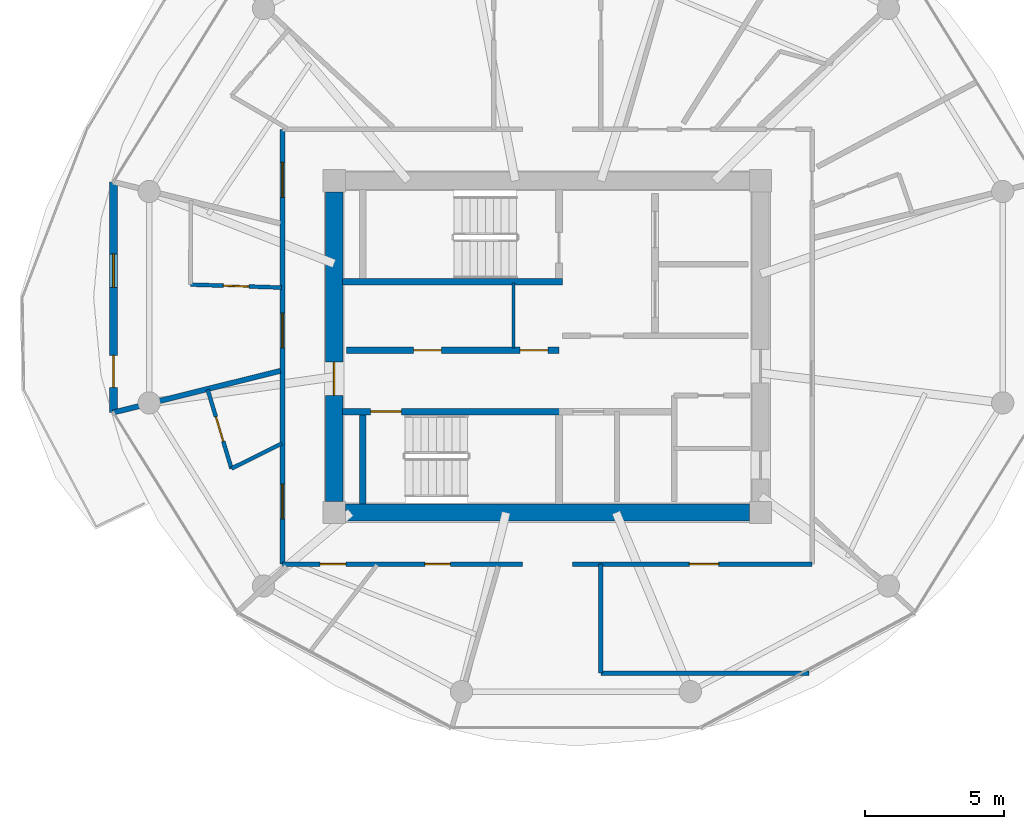
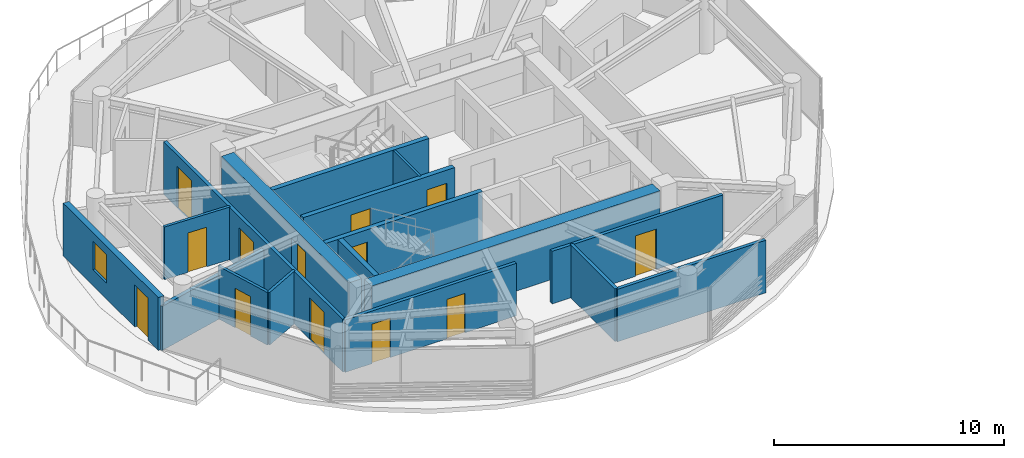
# One storey, part 12 of 22: 17 walls, 13 doors, 1 window, 14 openings.
"""IFC4 building model written with IfcOpenShell, lengths in metres."""

from ifc_helpers import new_model, si_unit, direction, frame, frame_2d, origin, place, context, subcontext, project, spatial, rectangle, extrude, source, transform, mapped, material, layer, layer_set, type_object, type_shapes, element, fill, save


model = new_model("IFC4")

# Units and contexts
model_context = context("Model", 3, precision=1e-05, world=origin(), true_north=direction((0.0, 1.0)))
body_context = subcontext(model_context, "Body", "Model", "MODEL_VIEW")
ifc_project = project(units=[si_unit("LENGTHUNIT", "METRE"), si_unit("AREAUNIT", "SQUARE_METRE"), si_unit("VOLUMEUNIT", "CUBIC_METRE"), si_unit("PLANEANGLEUNIT", "RADIAN"), si_unit("MASSUNIT", "GRAM", prefix="KILO")], contexts=[model_context])

# Site, building, storey
site_placement = place(None, origin())
site = spatial("IfcSite", under=ifc_project, at=site_placement, CompositionType="ELEMENT")
building_placement = place(site_placement, origin())
building = spatial("IfcBuilding", under=site, at=building_placement, Name="Norrkilde Senior Care Towers", CompositionType="ELEMENT")
storey_placement = place(building_placement, frame((0.0, 0.0, 152.60009765625)))
storey = spatial("IfcBuildingStorey", under=building, at=storey_placement, Name="L47", CompositionType="ELEMENT", Elevation=152.60009765625)

# Wall
ifc_material_1 = material(Name="Concrete C50/60", Category="concrete")
ifc_layer_1 = layer(ifc_material_1, 0.6201171875)
ifc_layer_set_1 = layer_set([ifc_layer_1], Name="Concrete C50/60")
wall_type_1 = type_object("IfcWallType", Name="Core Shear Wall Z3 620", PredefinedType="SHEAR", material=ifc_layer_set_1)
shared_shape_1 = source(origin(), body_context, "Body", "SweptSolid", [
    extrude(rectangle(XDim=14.5, YDim=0.6201171875, at=frame_2d((7.25, 0.0))), origin(), (0.0, 0.0, 1.0), 2.809814453125),
])
wall_1_placement = place(storey_placement, frame((-20.75, -5.949951171875, 0.0), z_axis=(0.0, 0.0, 1.0), x_axis=(-1.0, 0.0, 0.0)))
element("IfcWall", 1, at=wall_1_placement, inside=storey, type_object=wall_type_1, Name="L47 Core W South Shear Wall", PredefinedType="SHEAR", context=body_context, shape_type="MappedRepresentation", body=[
    mapped(shared_shape_1, transform((0.0, 0.0, 0.0), x_axis=(1.0, 0.0, 0.0), y_axis=(0.0, 1.0, 0.0), z_axis=(0.0, 0.0, 1.0), scale=1.0)),
])

# Wall, opening, door
shared_shape_2 = source(origin(), body_context, "Body", "SweptSolid", [
    extrude(rectangle(XDim=11.10009765625, YDim=0.6201171875, at=frame_2d((5.550048828125, 0.0))), origin(), (0.0, 0.0, 1.0), 2.809814453125),
])
type_shapes(wall_type_1, [shared_shape_1, shared_shape_2])
wall_2_placement = place(storey_placement, frame((-35.64990234375, -5.550048828125, 0.0), z_axis=(0.0, 0.0, 1.0), x_axis=(0.0, 1.0, 0.0)))
wall_2 = element("IfcWall", 2, at=wall_2_placement, inside=storey, type_object=wall_type_1, Name="L47 Core W West Shear Wall", PredefinedType="SHEAR", context=body_context, shape_type="MappedRepresentation", body=[
    mapped(shared_shape_2, transform((0.0, 0.0, 0.0), x_axis=(1.0, 0.0, 0.0), y_axis=(0.0, 1.0, 0.0), z_axis=(0.0, 0.0, 1.0), scale=1.0)),
])
opening_1_placement = place(wall_2_placement, frame((3.800048828125, 0.0, 0.0)))
opening_1 = element("IfcOpeningElement", 3, at=opening_1_placement, cuts=wall_2, Name="Opening D-04", PredefinedType="OPENING", context=body_context, shape_type="SweptSolid", body=[
    extrude(rectangle(XDim=1.199951171875, YDim=2.14990234375, at=frame_2d((0.60009765625, 1.074951171875))), frame((0.0, 0.320068359375, 0.0), z_axis=(0.0, -1.0, 0.0), x_axis=(1.0, 0.0, 0.0)), (0.0, 0.0, 1.0), 0.64013671875),
])
ifc_material_2 = material(Name="Galvanised Painted Steel", Category="steel")
door_type_1 = type_object("IfcDoorType", Name="Firefighting Lobby Fire Door 1200x2150", OperationType="NOTDEFINED", PredefinedType="DOOR", material=ifc_material_2)
shared_shape_3 = source(origin(), body_context, "Body", "SweptSolid", [
    extrude(rectangle(XDim=1.199951171875, YDim=2.14990234375, at=frame_2d((0.60009765625, 1.074951171875))), frame((0.0, 0.02490234375, 0.0), z_axis=(0.0, -1.0, 0.0), x_axis=(1.0, 0.0, 0.0)), (0.0, 0.0, 1.0), 0.050048828125),
])
type_shapes(door_type_1, [shared_shape_3])
door_1_placement = place(opening_1_placement, frame((1.199951171875, 0.0, 0.0), z_axis=(0.0, 0.0, 1.0), x_axis=(-1.0, 0.0, 0.0)))
door_1 = element("IfcDoor", 4, at=door_1_placement, inside=storey, type_object=door_type_1, Name="L47 Core W West Portal Door", OperationType="SINGLE_SWING_LEFT", OverallHeight=2.14990234375, OverallWidth=1.199951171875, PredefinedType="DOOR", context=body_context, shape_type="MappedRepresentation", body=[
    mapped(shared_shape_3, transform((0.0, 0.0, 0.0), x_axis=(1.0, 0.0, 0.0), y_axis=(0.0, 1.0, 0.0), z_axis=(0.0, 0.0, 1.0), scale=1.0)),
])
fill(opening_1, door_1)

# Wall, openings, door, window
ifc_material_3 = material(Name="Precast concrete C45/55", Category="concrete")
ifc_layer_2 = layer(ifc_material_3, 0.2900390625)
ifc_layer_set_2 = layer_set([ifc_layer_2], Name="Precast concrete C45/55")
wall_type_2 = type_object("IfcWallType", Name="Winter Garden Facade Wall 290", PredefinedType="SOLIDWALL", material=ifc_layer_set_2)
shared_shape_4 = source(origin(), body_context, "Body", "SweptSolid", [
    extrude(rectangle(XDim=8.27197265625, YDim=0.2900390625, at=frame_2d((4.135986328125, 0.0))), origin(), (0.0, 0.0, 1.0), 2.809814453125),
])
type_shapes(wall_type_2, [shared_shape_4])
wall_3_placement = place(storey_placement, frame((-43.569580078125, -2.360595703125, 0.0), z_axis=(0.0, 0.0, 1.0), x_axis=(0.0, 1.0, 0.0)))
wall_3 = element("IfcWall", 5, at=wall_3_placement, inside=storey, type_object=wall_type_2, Name="L47 Drum W Balcony Access Wall 05", PredefinedType="SOLIDWALL", context=body_context, shape_type="MappedRepresentation", body=[
    mapped(shared_shape_4, transform((0.0, 0.0, 0.0), x_axis=(1.0, 0.0, 0.0), y_axis=(0.0, 1.0, 0.0), z_axis=(0.0, 0.0, 1.0), scale=1.0)),
])
opening_2_placement = place(wall_3_placement, frame((0.89990234375, 0.0, 0.0)))
opening_2 = element("IfcOpeningElement", 6, at=opening_2_placement, cuts=wall_3, Name="Opening D-09", PredefinedType="OPENING", context=body_context, shape_type="SweptSolid", body=[
    extrude(rectangle(XDim=1.14990234375, YDim=2.25, at=frame_2d((0.574951171875, 1.125))), frame((0.0, 0.155029296875, 0.0), z_axis=(0.0, -1.0, 0.0), x_axis=(1.0, 0.0, 0.0)), (0.0, 0.0, 1.0), 0.31005859375),
])
opening_3_placement = place(wall_3_placement, frame((4.48583984375, 0.0, 0.85009765625)))
opening_3 = element("IfcOpeningElement", 7, at=opening_3_placement, cuts=wall_3, Name="Opening WN-07", PredefinedType="OPENING", context=body_context, shape_type="SweptSolid", body=[
    extrude(rectangle(XDim=1.199951171875, YDim=1.5, at=frame_2d((0.60009765625, 0.75))), frame((0.0, 0.155029296875, 0.0), z_axis=(0.0, -1.0, 0.0), x_axis=(1.0, 0.0, 0.0)), (0.0, 0.0, 1.0), 0.31005859375),
])
ifc_material_4 = material(Name="Anodised Aluminium", Category="aluminium")
door_type_2 = type_object("IfcDoorType", Name="Terrace and Balcony Glazed Door 1150x2250", OperationType="NOTDEFINED", PredefinedType="DOOR", material=ifc_material_4)
shared_shape_5 = source(origin(), body_context, "Body", "SweptSolid", [
    extrude(rectangle(XDim=1.14990234375, YDim=2.25, at=frame_2d((0.574951171875, 1.125))), frame((0.0, 0.02490234375, 0.0), z_axis=(0.0, -1.0, 0.0), x_axis=(1.0, 0.0, 0.0)), (0.0, 0.0, 1.0), 0.050048828125),
])
type_shapes(door_type_2, [shared_shape_5])
door_2_placement = place(opening_2_placement, origin())
door_2 = element("IfcDoor", 8, at=door_2_placement, inside=storey, type_object=door_type_2, Name="L47 Drum W Outdoor Terrace Door 05", OperationType="SINGLE_SWING_RIGHT", OverallHeight=2.25, OverallWidth=1.14990234375, PredefinedType="DOOR", context=body_context, shape_type="MappedRepresentation", body=[
    mapped(shared_shape_5, transform((0.0, 0.0, 0.0), x_axis=(1.0, 0.0, 0.0), y_axis=(0.0, 1.0, 0.0), z_axis=(0.0, 0.0, 1.0), scale=1.0)),
])
fill(opening_2, door_2)
ifc_material_5 = material(Name="Triple Low-E Insulated Glazing", Category="glass")
window_type = type_object("IfcWindowType", Name="Stairwell Smoke Vent Window 1200x1500", PartitioningType="SINGLE_PANEL", PredefinedType="WINDOW", material=ifc_material_5)
shared_shape_6 = source(origin(), body_context, "Body", "SweptSolid", [
    extrude(rectangle(XDim=1.199951171875, YDim=1.5, at=frame_2d((0.60009765625, 0.75))), frame((0.0, 0.030029296875, 0.0), z_axis=(0.0, -1.0, 0.0), x_axis=(1.0, 0.0, 0.0)), (0.0, 0.0, 1.0), 0.06005859375),
])
type_shapes(window_type, [shared_shape_6])
window_placement = place(opening_3_placement, origin())
window = element("IfcWindow", 9, at=window_placement, inside=storey, type_object=window_type, Name="L47 Drum W Winter Garden Window 05", OverallHeight=1.5, OverallWidth=1.199951171875, PartitioningType="SINGLE_PANEL", PredefinedType="WINDOW", context=body_context, shape_type="MappedRepresentation", body=[
    mapped(shared_shape_6, transform((0.0, 0.0, 0.0), x_axis=(1.0, 0.0, 0.0), y_axis=(0.0, 1.0, 0.0), z_axis=(0.0, 0.0, 1.0), scale=1.0)),
])
fill(opening_3, window)

# Wall, openings, doors
ifc_material_6 = material(Name="Concrete C45/55", Category="concrete")
ifc_layer_3 = layer(ifc_material_6, 0.239990234375)
ifc_layer_set_3 = layer_set([ifc_layer_3], Name="Concrete C45/55")
wall_type_3 = type_object("IfcWallType", Name="Lift and Plant Rated Enclosure Partition 240", PredefinedType="PARTITIONING", material=ifc_layer_set_3)
shared_shape_7 = source(origin(), body_context, "Body", "SweptSolid", [
    extrude(rectangle(XDim=7.619873046875, YDim=0.239990234375, at=frame_2d((3.81005859375, 0.0))), origin(), (0.0, 0.0, 1.0), 2.794921875),
])
type_shapes(wall_type_3, [shared_shape_7])
wall_4_placement = place(storey_placement, frame((-35.199951171875, -0.1298828125, 0.0), z_axis=(0.0, 0.0, 1.0), x_axis=(1.0, 0.0, 0.0)))
wall_4 = element("IfcWall", 10, at=wall_4_placement, inside=storey, type_object=wall_type_3, Name="WL-INT-L47-W-PKAS", PredefinedType="PARTITIONING", context=body_context, shape_type="MappedRepresentation", body=[
    mapped(shared_shape_7, transform((0.0, 0.0, 0.0), x_axis=(1.0, 0.0, 0.0), y_axis=(0.0, 1.0, 0.0), z_axis=(0.0, 0.0, 1.0), scale=1.0)),
])
opening_4_placement = place(wall_4_placement, frame((6.219970703125, 0.0, 0.0)))
opening_4 = element("IfcOpeningElement", 11, at=opening_4_placement, cuts=wall_4, Name="Opening D-10", PredefinedType="OPENING", context=body_context, shape_type="SweptSolid", body=[
    extrude(rectangle(XDim=1.0, YDim=2.10009765625, at=frame_2d((0.5, 1.050048828125))), frame((0.0, 0.1298828125, 0.0), z_axis=(0.0, -1.0, 0.0), x_axis=(1.0, 0.0, 0.0)), (0.0, 0.0, 1.0), 0.260009765625),
])
opening_5_placement = place(wall_4_placement, frame((2.39990234375, 0.0, 0.0)))
opening_5 = element("IfcOpeningElement", 12, at=opening_5_placement, cuts=wall_4, Name="Opening D-10", PredefinedType="OPENING", context=body_context, shape_type="SweptSolid", body=[
    extrude(rectangle(XDim=1.0, YDim=2.10009765625, at=frame_2d((0.5, 1.050048828125))), frame((0.0, 0.1298828125, 0.0), z_axis=(0.0, -1.0, 0.0), x_axis=(1.0, 0.0, 0.0)), (0.0, 0.0, 1.0), 0.260009765625),
])
door_type_3 = type_object("IfcDoorType", Name="Plant and Riser Rated Door 1000x2100", OperationType="NOTDEFINED", PredefinedType="DOOR", material=ifc_material_2)
shared_shape_8 = source(origin(), body_context, "Body", "SweptSolid", [
    extrude(rectangle(XDim=1.0, YDim=2.10009765625, at=frame_2d((0.5, 1.050048828125))), frame((0.0, 0.02490234375, 0.0), z_axis=(0.0, -1.0, 0.0), x_axis=(1.0, 0.0, 0.0)), (0.0, 0.0, 1.0), 0.050048828125),
])
type_shapes(door_type_3, [shared_shape_8])
door_3_placement = place(opening_4_placement, frame((1.0, 0.0, 0.0), z_axis=(0.0, 0.0, 1.0), x_axis=(-1.0, 0.0, 0.0)))
door_3 = element("IfcDoor", 13, at=door_3_placement, inside=storey, type_object=door_type_3, Name="L47 Electrical Riser W Door", OperationType="SINGLE_SWING_LEFT", OverallHeight=2.10009765625, OverallWidth=1.0, PredefinedType="DOOR", context=body_context, shape_type="MappedRepresentation", body=[
    mapped(shared_shape_8, transform((0.0, 0.0, 0.0), x_axis=(1.0, 0.0, 0.0), y_axis=(0.0, 1.0, 0.0), z_axis=(0.0, 0.0, 1.0), scale=1.0)),
])
fill(opening_4, door_3)
door_4_placement = place(opening_5_placement, frame((1.0, 0.0, 0.0), z_axis=(0.0, 0.0, 1.0), x_axis=(-1.0, 0.0, 0.0)))
door_4 = element("IfcDoor", 14, at=door_4_placement, inside=storey, type_object=door_type_3, Name="L47 Clean Supply Store W Door", OperationType="SINGLE_SWING_LEFT", OverallHeight=2.10009765625, OverallWidth=1.0, PredefinedType="DOOR", context=body_context, shape_type="MappedRepresentation", body=[
    mapped(shared_shape_8, transform((0.0, 0.0, 0.0), x_axis=(1.0, 0.0, 0.0), y_axis=(0.0, 1.0, 0.0), z_axis=(0.0, 0.0, 1.0), scale=1.0)),
])
fill(opening_5, door_4)

# Wall
ifc_material_7 = material(Name="Gypsum Acoustic Board")
ifc_layer_4 = layer(ifc_material_7, 0.114990234375)
ifc_layer_set_4 = layer_set([ifc_layer_4], Name="Gypsum Acoustic Board")
wall_type_4 = type_object("IfcWallType", Name="Internal Room Partition 115", PredefinedType="PARTITIONING", material=ifc_layer_set_4)
shared_shape_9 = source(origin(), body_context, "Body", "SweptSolid", [
    extrude(rectangle(XDim=2.330078125, YDim=0.114990234375, at=frame_2d((1.1650390625, 0.0))), origin(), (0.0, 0.0, 1.0), 2.794921875),
])
type_shapes(wall_type_4, [shared_shape_9])
wall_5_placement = place(storey_placement, frame((-29.2099609375, -0.050048828125, 0.0), z_axis=(0.0, 0.0, 1.0), x_axis=(0.0, 1.0, 0.0)))
element("IfcWall", 15, at=wall_5_placement, inside=storey, type_object=wall_type_4, Name="WL-INT-L47-W-RISW", PredefinedType="PARTITIONING", context=body_context, shape_type="MappedRepresentation", body=[
    mapped(shared_shape_9, transform((0.0, 0.0, 0.0), x_axis=(1.0, 0.0, 0.0), y_axis=(0.0, 1.0, 0.0), z_axis=(0.0, 0.0, 1.0), scale=1.0)),
])

# Wall, opening, door
ifc_layer_5 = layer(ifc_material_7, 0.1650390625)
ifc_layer_set_5 = layer_set([ifc_layer_5], Name="Gypsum Acoustic Board")
wall_type_5 = type_object("IfcWallType", Name="Corridor Rated Partition 165", PredefinedType="PARTITIONING", material=ifc_layer_set_5)
shared_shape_10 = source(origin(), body_context, "Body", "SweptSolid", [
    extrude(rectangle(XDim=8.60009765625, YDim=0.1650390625, at=frame_2d((4.300048828125, 0.0))), origin(), (0.0, 0.0, 1.0), 2.794921875),
])
wall_6_placement = place(storey_placement, frame((-18.5, -7.800048828125, 0.0), z_axis=(0.0, 0.0, 1.0), x_axis=(-1.0, 0.0, 0.0)))
wall_6 = element("IfcWall", 16, at=wall_6_placement, inside=storey, type_object=wall_type_5, Name="WL-INT-L47-W-CRW-S-0", PredefinedType="PARTITIONING", context=body_context, shape_type="MappedRepresentation", body=[
    mapped(shared_shape_10, transform((0.0, 0.0, 0.0), x_axis=(1.0, 0.0, 0.0), y_axis=(0.0, 1.0, 0.0), z_axis=(0.0, 0.0, 1.0), scale=1.0)),
])
opening_6_placement = place(wall_6_placement, frame((3.359130859375, 0.0, 0.0)))
opening_6 = element("IfcOpeningElement", 17, at=opening_6_placement, cuts=wall_6, Name="Opening D-06", PredefinedType="OPENING", context=body_context, shape_type="SweptSolid", body=[
    extrude(rectangle(XDim=1.050048828125, YDim=2.14990234375, at=frame_2d((0.52490234375, 1.074951171875))), frame((0.0, 0.092529296875, 0.0), z_axis=(0.0, -1.0, 0.0), x_axis=(1.0, 0.0, 0.0)), (0.0, 0.0, 1.0), 0.18505859375),
])
ifc_material_8 = material(Name="Nordic Ash Timber", Category="wood")
door_type_4 = type_object("IfcDoorType", Name="Apartment Entrance Fire Door 1050x2150", OperationType="NOTDEFINED", PredefinedType="DOOR", material=ifc_material_8)
shared_shape_11 = source(origin(), body_context, "Body", "SweptSolid", [
    extrude(rectangle(XDim=1.050048828125, YDim=2.14990234375, at=frame_2d((0.52490234375, 1.074951171875))), frame((0.0, 0.02490234375, 0.0), z_axis=(0.0, -1.0, 0.0), x_axis=(1.0, 0.0, 0.0)), (0.0, 0.0, 1.0), 0.050048828125),
])
type_shapes(door_type_4, [shared_shape_11])
door_5_placement = place(opening_6_placement, frame((1.050048828125, 0.0, 0.0), z_axis=(0.0, 0.0, 1.0), x_axis=(-1.0, 0.0, 0.0)))
door_5 = element("IfcDoor", 18, at=door_5_placement, inside=storey, type_object=door_type_4, Name="L47 Reading Lounge SEL Door", OperationType="SINGLE_SWING_RIGHT", OverallHeight=2.14990234375, OverallWidth=1.050048828125, PredefinedType="DOOR", context=body_context, shape_type="MappedRepresentation", body=[
    mapped(shared_shape_11, transform((0.0, 0.0, 0.0), x_axis=(1.0, 0.0, 0.0), y_axis=(0.0, 1.0, 0.0), z_axis=(0.0, 0.0, 1.0), scale=1.0)),
])
fill(opening_6, door_5)

# Wall, openings, doors
wall_7_placement = place(storey_placement, frame((-28.89990234375, -7.800048828125, 0.0), z_axis=(0.0, 0.0, 1.0), x_axis=(-1.0, 0.0, 0.0)))
wall_7 = element("IfcWall", 19, at=wall_7_placement, inside=storey, type_object=wall_type_5, Name="WL-INT-L47-W-CRW-S-1", PredefinedType="PARTITIONING", context=body_context, shape_type="MappedRepresentation", body=[
    mapped(shared_shape_10, transform((0.0, 0.0, 0.0), x_axis=(1.0, 0.0, 0.0), y_axis=(0.0, 1.0, 0.0), z_axis=(0.0, 0.0, 1.0), scale=1.0)),
])
opening_7_placement = place(wall_7_placement, frame((6.330322265625, 0.0, 0.0)))
opening_7 = element("IfcOpeningElement", 20, at=opening_7_placement, cuts=wall_7, Name="Opening D-08", PredefinedType="OPENING", context=body_context, shape_type="SweptSolid", body=[
    extrude(rectangle(XDim=0.919921875, YDim=2.10009765625, at=frame_2d((0.4599609375, 1.050048828125))), frame((0.0, 0.092529296875, 0.0), z_axis=(0.0, -1.0, 0.0), x_axis=(1.0, 0.0, 0.0)), (0.0, 0.0, 1.0), 0.18505859375),
])
opening_8_placement = place(wall_7_placement, frame((2.57470703125, 0.0, 0.0)))
opening_8 = element("IfcOpeningElement", 21, at=opening_8_placement, cuts=wall_7, Name="Opening D-08", PredefinedType="OPENING", context=body_context, shape_type="SweptSolid", body=[
    extrude(rectangle(XDim=0.919921875, YDim=2.10009765625, at=frame_2d((0.4599609375, 1.050048828125))), frame((0.0, 0.092529296875, 0.0), z_axis=(0.0, -1.0, 0.0), x_axis=(1.0, 0.0, 0.0)), (0.0, 0.0, 1.0), 0.18505859375),
])
door_type_5 = type_object("IfcDoorType", Name="Accessible Wet Room Door 920x2100", OperationType="NOTDEFINED", PredefinedType="DOOR", material=ifc_material_8)
shared_shape_12 = source(origin(), body_context, "Body", "SweptSolid", [
    extrude(rectangle(XDim=0.919921875, YDim=2.10009765625, at=frame_2d((0.4599609375, 1.050048828125))), frame((0.0, 0.02490234375, 0.0), z_axis=(0.0, -1.0, 0.0), x_axis=(1.0, 0.0, 0.0)), (0.0, 0.0, 1.0), 0.050048828125),
])
type_shapes(door_type_5, [shared_shape_12])
door_6_placement = place(opening_7_placement, frame((0.919921875, 0.0, 0.0), z_axis=(0.0, 0.0, 1.0), x_axis=(-1.0, 0.0, 0.0)))
door_6 = element("IfcDoor", 22, at=door_6_placement, inside=storey, type_object=door_type_5, Name="L47 Accessible Restroom Door", OperationType="SINGLE_SWING_RIGHT", OverallHeight=2.10009765625, OverallWidth=0.919921875, PredefinedType="DOOR", context=body_context, shape_type="MappedRepresentation", body=[
    mapped(shared_shape_12, transform((0.0, 0.0, 0.0), x_axis=(1.0, 0.0, 0.0), y_axis=(0.0, 1.0, 0.0), z_axis=(0.0, 0.0, 1.0), scale=1.0)),
])
fill(opening_7, door_6)
door_7_placement = place(opening_8_placement, frame((0.919921875, 0.0, 0.0), z_axis=(0.0, 0.0, 1.0), x_axis=(-1.0, 0.0, 0.0)))
door_7 = element("IfcDoor", 23, at=door_7_placement, inside=storey, type_object=door_type_5, Name="L47 Public Restroom Door", OperationType="SINGLE_SWING_LEFT", OverallHeight=2.10009765625, OverallWidth=0.919921875, PredefinedType="DOOR", context=body_context, shape_type="MappedRepresentation", body=[
    mapped(shared_shape_12, transform((0.0, 0.0, 0.0), x_axis=(1.0, 0.0, 0.0), y_axis=(0.0, 1.0, 0.0), z_axis=(0.0, 0.0, 1.0), scale=1.0)),
])
fill(opening_8, door_7)

shared_shape_13 = source(origin(), body_context, "Body", "SweptSolid", [
    extrude(rectangle(XDim=15.60009765625, YDim=0.1650390625, at=frame_2d((7.800048828125, 0.0))), origin(), (0.0, 0.0, 1.0), 2.794921875),
])
wall_8_placement = place(storey_placement, frame((-37.5, -7.800048828125, 0.0), z_axis=(0.0, 0.0, 1.0), x_axis=(0.0, 1.0, 0.0)))
wall_8 = element("IfcWall", 24, at=wall_8_placement, inside=storey, type_object=wall_type_5, Name="WL-INT-L47-W-CRW-W-0", PredefinedType="PARTITIONING", context=body_context, shape_type="MappedRepresentation", body=[
    mapped(shared_shape_13, transform((0.0, 0.0, 0.0), x_axis=(1.0, 0.0, 0.0), y_axis=(0.0, 1.0, 0.0), z_axis=(0.0, 0.0, 1.0), scale=1.0)),
])
opening_9_placement = place(wall_8_placement, frame((13.160400390625, 0.0, 0.0)))
opening_9 = element("IfcOpeningElement", 25, at=opening_9_placement, cuts=wall_8, Name="Opening D-05", PredefinedType="OPENING", context=body_context, shape_type="SweptSolid", body=[
    extrude(rectangle(XDim=1.25, YDim=2.199951171875, at=frame_2d((0.625, 1.10009765625))), frame((0.0, 0.092529296875, 0.0), z_axis=(0.0, -1.0, 0.0), x_axis=(1.0, 0.0, 0.0)), (0.0, 0.0, 1.0), 0.18505859375),
])
opening_10_placement = place(wall_8_placement, frame((7.757080078125, 0.0, 0.0)))
opening_10 = element("IfcOpeningElement", 26, at=opening_10_placement, cuts=wall_8, Name="Opening D-05", PredefinedType="OPENING", context=body_context, shape_type="SweptSolid", body=[
    extrude(rectangle(XDim=1.25, YDim=2.199951171875, at=frame_2d((0.625, 1.10009765625))), frame((0.0, 0.092529296875, 0.0), z_axis=(0.0, -1.0, 0.0), x_axis=(1.0, 0.0, 0.0)), (0.0, 0.0, 1.0), 0.18505859375),
])
opening_11_placement = place(wall_8_placement, frame((1.61962890625, 0.0, 0.0)))
opening_11 = element("IfcOpeningElement", 27, at=opening_11_placement, cuts=wall_8, Name="Opening D-05", PredefinedType="OPENING", context=body_context, shape_type="SweptSolid", body=[
    extrude(rectangle(XDim=1.25, YDim=2.199951171875, at=frame_2d((0.625, 1.10009765625))), frame((0.0, 0.092529296875, 0.0), z_axis=(0.0, -1.0, 0.0), x_axis=(1.0, 0.0, 0.0)), (0.0, 0.0, 1.0), 0.18505859375),
])
door_type_6 = type_object("IfcDoorType", Name="Care Bedroom Bariatric Door 1250x2200", OperationType="NOTDEFINED", PredefinedType="DOOR", material=ifc_material_8)
shared_shape_14 = source(origin(), body_context, "Body", "SweptSolid", [
    extrude(rectangle(XDim=1.25, YDim=2.199951171875, at=frame_2d((0.625, 1.10009765625))), frame((0.0, 0.02490234375, 0.0), z_axis=(0.0, -1.0, 0.0), x_axis=(1.0, 0.0, 0.0)), (0.0, 0.0, 1.0), 0.050048828125),
])
type_shapes(door_type_6, [shared_shape_14])
door_8_placement = place(opening_9_placement, frame((1.25, 0.0, 0.0), z_axis=(0.0, 0.0, 1.0), x_axis=(-1.0, 0.0, 0.0)))
door_8 = element("IfcDoor", 28, at=door_8_placement, inside=storey, type_object=door_type_6, Name="L47 Care Suite 4704 Entrance Door", OperationType="SINGLE_SWING_LEFT", OverallHeight=2.199951171875, OverallWidth=1.25, PredefinedType="DOOR", context=body_context, shape_type="MappedRepresentation", body=[
    mapped(shared_shape_14, transform((0.0, 0.0, 0.0), x_axis=(1.0, 0.0, 0.0), y_axis=(0.0, 1.0, 0.0), z_axis=(0.0, 0.0, 1.0), scale=1.0)),
])
fill(opening_9, door_8)
door_9_placement = place(opening_10_placement, frame((1.25, 0.0, 0.0), z_axis=(0.0, 0.0, 1.0), x_axis=(-1.0, 0.0, 0.0)))
door_9 = element("IfcDoor", 29, at=door_9_placement, inside=storey, type_object=door_type_6, Name="L47 Care Suite 4705 Entrance Door", OperationType="SINGLE_SWING_RIGHT", OverallHeight=2.199951171875, OverallWidth=1.25, PredefinedType="DOOR", context=body_context, shape_type="MappedRepresentation", body=[
    mapped(shared_shape_14, transform((0.0, 0.0, 0.0), x_axis=(1.0, 0.0, 0.0), y_axis=(0.0, 1.0, 0.0), z_axis=(0.0, 0.0, 1.0), scale=1.0)),
])
fill(opening_10, door_9)
door_10_placement = place(opening_11_placement, frame((1.25, 0.0, 0.0), z_axis=(0.0, 0.0, 1.0), x_axis=(-1.0, 0.0, 0.0)))
door_10 = element("IfcDoor", 30, at=door_10_placement, inside=storey, type_object=door_type_6, Name="L47 Care Suite 4706 Entrance Door", OperationType="SINGLE_SWING_LEFT", OverallHeight=2.199951171875, OverallWidth=1.25, PredefinedType="DOOR", context=body_context, shape_type="MappedRepresentation", body=[
    mapped(shared_shape_14, transform((0.0, 0.0, 0.0), x_axis=(1.0, 0.0, 0.0), y_axis=(0.0, 1.0, 0.0), z_axis=(0.0, 0.0, 1.0), scale=1.0)),
])
fill(opening_11, door_10)

# Walls
ifc_layer_6 = layer(ifc_material_7, 0.18994140625)
ifc_layer_set_6 = layer_set([ifc_layer_6], Name="Gypsum Acoustic Board")
wall_type_6 = type_object("IfcWallType", Name="Unit Demising Acoustic Wall 190", PredefinedType="PARTITIONING", material=ifc_layer_set_6)
shared_shape_15 = source(origin(), body_context, "Body", "SweptSolid", [
    extrude(rectangle(XDim=6.192626953125, YDim=0.18994140625, at=frame_2d((3.09619140625, 0.0))), origin(), (0.0, 0.0, 1.0), 2.344970703125),
])
type_shapes(wall_type_6, [shared_shape_15])
wall_9_placement = place(storey_placement, frame((-37.580078125, -0.867919921875, 0.0), z_axis=(0.0, 0.0, 1.0), x_axis=(-0.970309243466, -0.241867674657, 0.0)))
element("IfcWall", 31, at=wall_9_placement, inside=storey, type_object=wall_type_6, Name="WL-INT-L47-W-DEM-06-0", PredefinedType="PARTITIONING", context=body_context, shape_type="MappedRepresentation", body=[
    mapped(shared_shape_15, transform((0.0, 0.0, 0.0), x_axis=(1.0, 0.0, 0.0), y_axis=(0.0, 1.0, 0.0), z_axis=(0.0, 0.0, 1.0), scale=1.0)),
])
ifc_layer_7 = layer(ifc_material_6, 0.239990234375)
ifc_layer_set_7 = layer_set([ifc_layer_7], Name="Concrete C45/55")
wall_type_7 = type_object("IfcWallType", Name="Shaft and Stair Enclosure Wall 240", PredefinedType="PARTITIONING", material=ifc_layer_set_7)
shared_shape_16 = source(origin(), body_context, "Body", "SweptSolid", [
    extrude(rectangle(XDim=7.880126953125, YDim=0.239990234375, at=frame_2d((3.93994140625, 0.0))), origin(), (0.0, 0.0, 1.0), 2.809814453125),
])
wall_10_placement = place(storey_placement, frame((-35.340087890625, 2.330078125, 0.0), z_axis=(0.0, 0.0, 1.0), x_axis=(1.0, 0.0, 0.0)))
element("IfcWall", 32, at=wall_10_placement, inside=storey, type_object=wall_type_7, Name="WL-INT-L47-W-ST1S", PredefinedType="PARTITIONING", context=body_context, shape_type="MappedRepresentation", body=[
    mapped(shared_shape_16, transform((0.0, 0.0, 0.0), x_axis=(1.0, 0.0, 0.0), y_axis=(0.0, 1.0, 0.0), z_axis=(0.0, 0.0, 1.0), scale=1.0)),
])

# Wall, opening, door
wall_11_placement = place(storey_placement, frame((-35.340087890625, -2.330078125, 0.0), z_axis=(0.0, 0.0, 1.0), x_axis=(1.0, 0.0, 0.0)))
wall_11 = element("IfcWall", 33, at=wall_11_placement, inside=storey, type_object=wall_type_7, Name="WL-INT-L47-W-ST2N", PredefinedType="PARTITIONING", context=body_context, shape_type="MappedRepresentation", body=[
    mapped(shared_shape_16, transform((0.0, 0.0, 0.0), x_axis=(1.0, 0.0, 0.0), y_axis=(0.0, 1.0, 0.0), z_axis=(0.0, 0.0, 1.0), scale=1.0)),
])
opening_12_placement = place(wall_11_placement, frame((1.0, 0.0, 0.0)))
opening_12 = element("IfcOpeningElement", 34, at=opening_12_placement, cuts=wall_11, Name="Opening D-03", PredefinedType="OPENING", context=body_context, shape_type="SweptSolid", body=[
    extrude(rectangle(XDim=1.10009765625, YDim=2.14990234375, at=frame_2d((0.550048828125, 1.074951171875))), frame((0.0, 0.1298828125, 0.0), z_axis=(0.0, -1.0, 0.0), x_axis=(1.0, 0.0, 0.0)), (0.0, 0.0, 1.0), 0.260009765625),
])
door_type_7 = type_object("IfcDoorType", Name="Stairwell Protected Fire Door 1100x2150", OperationType="NOTDEFINED", PredefinedType="DOOR", material=ifc_material_2)
shared_shape_17 = source(origin(), body_context, "Body", "SweptSolid", [
    extrude(rectangle(XDim=1.10009765625, YDim=2.14990234375, at=frame_2d((0.550048828125, 1.074951171875))), frame((0.0, 0.02490234375, 0.0), z_axis=(0.0, -1.0, 0.0), x_axis=(1.0, 0.0, 0.0)), (0.0, 0.0, 1.0), 0.050048828125),
])
type_shapes(door_type_7, [shared_shape_17])
door_11_placement = place(opening_12_placement, frame((1.10009765625, 0.0, 0.0), z_axis=(0.0, 0.0, 1.0), x_axis=(-1.0, 0.0, 0.0)))
door_11 = element("IfcDoor", 35, at=door_11_placement, inside=storey, type_object=door_type_7, Name="L47 Stair W2 Fire Door", OperationType="SINGLE_SWING_RIGHT", OverallHeight=2.14990234375, OverallWidth=1.10009765625, PredefinedType="DOOR", context=body_context, shape_type="MappedRepresentation", body=[
    mapped(shared_shape_17, transform((0.0, 0.0, 0.0), x_axis=(1.0, 0.0, 0.0), y_axis=(0.0, 1.0, 0.0), z_axis=(0.0, 0.0, 1.0), scale=1.0)),
])
fill(opening_12, door_11)

# Walls
shared_shape_18 = source(origin(), body_context, "Body", "SweptSolid", [
    extrude(rectangle(XDim=3.18994140625, YDim=0.239990234375, at=frame_2d((1.594970703125, 0.0))), origin(), (0.0, 0.0, 1.0), 2.809814453125),
])
type_shapes(wall_type_7, [shared_shape_16, shared_shape_18])
wall_12_placement = place(storey_placement, frame((-34.6201171875, -5.639892578125, 0.0), z_axis=(0.0, 0.0, 1.0), x_axis=(0.0, 1.0, 0.0)))
element("IfcWall", 36, at=wall_12_placement, inside=storey, type_object=wall_type_7, Name="WL-INT-L47-W-ST2W", PredefinedType="PARTITIONING", context=body_context, shape_type="MappedRepresentation", body=[
    mapped(shared_shape_18, transform((0.0, 0.0, 0.0), x_axis=(1.0, 0.0, 0.0), y_axis=(0.0, 1.0, 0.0), z_axis=(0.0, 0.0, 1.0), scale=1.0)),
])
shared_shape_19 = source(origin(), body_context, "Body", "SweptSolid", [
    extrude(rectangle(XDim=3.91455078125, YDim=0.1650390625, at=frame_2d((1.957275390625, 0.0))), origin(), (0.0, 0.0, 1.0), 2.794921875),
])
wall_13_placement = place(storey_placement, frame((-26.080078125, -11.714599609375, 0.0), z_axis=(0.0, 0.0, 1.0), x_axis=(0.0, 1.0, 0.0)))
element("IfcWall", 37, at=wall_13_placement, inside=storey, type_object=wall_type_5, Name="WL-INT-L47-W-PKW-SEL", PredefinedType="PARTITIONING", context=body_context, shape_type="MappedRepresentation", body=[
    mapped(shared_shape_19, transform((0.0, 0.0, 0.0), x_axis=(1.0, 0.0, 0.0), y_axis=(0.0, 1.0, 0.0), z_axis=(0.0, 0.0, 1.0), scale=1.0)),
])
shared_shape_20 = source(origin(), body_context, "Body", "SweptSolid", [
    extrude(rectangle(XDim=7.47314453125, YDim=0.1650390625, at=frame_2d((3.736572265625, 0.0))), origin(), (0.0, 0.0, 1.0), 2.794921875),
])
type_shapes(wall_type_5, [shared_shape_10, shared_shape_13, shared_shape_19, shared_shape_20])
wall_14_placement = place(storey_placement, frame((-26.080078125, -11.714599609375, 0.0), z_axis=(0.0, 0.0, 1.0), x_axis=(1.0, 0.0, 0.0)))
element("IfcWall", 38, at=wall_14_placement, inside=storey, type_object=wall_type_5, Name="WL-INT-L47-W-PKH-SEL-0", PredefinedType="PARTITIONING", context=body_context, shape_type="MappedRepresentation", body=[
    mapped(shared_shape_20, transform((0.0, 0.0, 0.0), x_axis=(1.0, 0.0, 0.0), y_axis=(0.0, 1.0, 0.0), z_axis=(0.0, 0.0, 1.0), scale=1.0)),
])

# Wall, opening, door
ifc_layer_8 = layer(ifc_material_7, 0.139892578125)
ifc_layer_set_8 = layer_set([ifc_layer_8], Name="Gypsum Acoustic Board")
wall_type_8 = type_object("IfcWallType", Name="En-suite Wet Room Wall 140", PredefinedType="PARTITIONING", material=ifc_layer_set_8)
shared_shape_21 = source(origin(), body_context, "Body", "SweptSolid", [
    extrude(rectangle(XDim=3.269287109375, YDim=0.139892578125, at=frame_2d((1.634765625, 0.0))), origin(), (0.0, 0.0, 1.0), 2.794921875),
])
wall_15_placement = place(storey_placement, frame((-37.530029296875, 2.1201171875, 0.0), z_axis=(0.0, 0.0, 1.0), x_axis=(-0.99946494589, 0.032708132569, 0.0)))
wall_15 = element("IfcWall", 39, at=wall_15_placement, inside=storey, type_object=wall_type_8, Name="WL-INT-L47-W-ES-05", PredefinedType="PARTITIONING", context=body_context, shape_type="MappedRepresentation", body=[
    mapped(shared_shape_21, transform((0.0, 0.0, 0.0), x_axis=(1.0, 0.0, 0.0), y_axis=(0.0, 1.0, 0.0), z_axis=(0.0, 0.0, 1.0), scale=1.0)),
])
opening_13_placement = place(wall_15_placement, frame((1.174560546875, 0.0, 0.0)))
opening_13 = element("IfcOpeningElement", 40, at=opening_13_placement, cuts=wall_15, Name="Opening D-08", PredefinedType="OPENING", context=body_context, shape_type="SweptSolid", body=[
    extrude(rectangle(XDim=0.919921875, YDim=2.10009765625, at=frame_2d((0.4599609375, 1.050048828125))), frame((0.0, 0.079833984375, 0.0), z_axis=(0.0, -1.0, 0.0), x_axis=(1.0, 0.0, 0.0)), (0.0, 0.0, 1.0), 0.159912109375),
])
door_12_placement = place(opening_13_placement, origin())
door_12 = element("IfcDoor", 41, at=door_12_placement, inside=storey, type_object=door_type_5, Name="L47 Care Suite 4705 Bathroom Door", OperationType="SINGLE_SWING_LEFT", OverallHeight=2.10009765625, OverallWidth=0.919921875, PredefinedType="DOOR", context=body_context, shape_type="MappedRepresentation", body=[
    mapped(shared_shape_12, transform((0.0, 0.0, 0.0), x_axis=(1.0, 0.0, 0.0), y_axis=(0.0, 1.0, 0.0), z_axis=(0.0, 0.0, 1.0), scale=1.0)),
])
fill(opening_13, door_12)

# Wall
shared_shape_22 = source(origin(), body_context, "Body", "SweptSolid", [
    extrude(rectangle(XDim=2.012939453125, YDim=0.139892578125, at=frame_2d((1.00634765625, 0.0))), origin(), (0.0, 0.0, 1.0), 2.794921875),
])
wall_16_placement = place(storey_placement, frame((-37.530029296875, -3.4755859375, 0.0), z_axis=(0.0, 0.0, 1.0), x_axis=(-0.895347078862, -0.445369069843, 0.0)))
element("IfcWall", 42, at=wall_16_placement, inside=storey, type_object=wall_type_8, Name="WL-INT-L47-W-ES-06", PredefinedType="PARTITIONING", context=body_context, shape_type="MappedRepresentation", body=[
    mapped(shared_shape_22, transform((0.0, 0.0, 0.0), x_axis=(1.0, 0.0, 0.0), y_axis=(0.0, 1.0, 0.0), z_axis=(0.0, 0.0, 1.0), scale=1.0)),
])

# Wall, opening, door
shared_shape_23 = source(origin(), body_context, "Body", "SweptSolid", [
    extrude(rectangle(XDim=2.961181640625, YDim=0.139892578125, at=frame_2d((1.48046875, 0.0))), origin(), (0.0, 0.0, 1.0), 2.794921875),
])
type_shapes(wall_type_8, [shared_shape_21, shared_shape_22, shared_shape_23])
wall_17_placement = place(storey_placement, frame((-39.332275390625, -4.3720703125, 0.0), z_axis=(0.0, 0.0, 1.0), x_axis=(-0.288391510046, 0.957512577951, 0.0)))
wall_17 = element("IfcWall", 43, at=wall_17_placement, inside=storey, type_object=wall_type_8, Name="WL-INT-L47-W-EF-06", PredefinedType="PARTITIONING", context=body_context, shape_type="MappedRepresentation", body=[
    mapped(shared_shape_23, transform((0.0, 0.0, 0.0), x_axis=(1.0, 0.0, 0.0), y_axis=(0.0, 1.0, 0.0), z_axis=(0.0, 0.0, 1.0), scale=1.0)),
])
opening_14_placement = place(wall_17_placement, frame((1.0205078125, 0.0, 0.0)))
opening_14 = element("IfcOpeningElement", 44, at=opening_14_placement, cuts=wall_17, Name="Opening D-08", PredefinedType="OPENING", context=body_context, shape_type="SweptSolid", body=[
    extrude(rectangle(XDim=0.919921875, YDim=2.10009765625, at=frame_2d((0.4599609375, 1.050048828125))), frame((0.0, 0.079833984375, 0.0), z_axis=(0.0, -1.0, 0.0), x_axis=(1.0, 0.0, 0.0)), (0.0, 0.0, 1.0), 0.159912109375),
])
door_13_placement = place(opening_14_placement, origin())
door_13 = element("IfcDoor", 45, at=door_13_placement, inside=storey, type_object=door_type_5, Name="L47 Care Suite 4706 Bathroom Door", OperationType="SINGLE_SWING_RIGHT", OverallHeight=2.10009765625, OverallWidth=0.919921875, PredefinedType="DOOR", context=body_context, shape_type="MappedRepresentation", body=[
    mapped(shared_shape_12, transform((0.0, 0.0, 0.0), x_axis=(1.0, 0.0, 0.0), y_axis=(0.0, 1.0, 0.0), z_axis=(0.0, 0.0, 1.0), scale=1.0)),
])
fill(opening_14, door_13)

save(model, "model.ifc")
